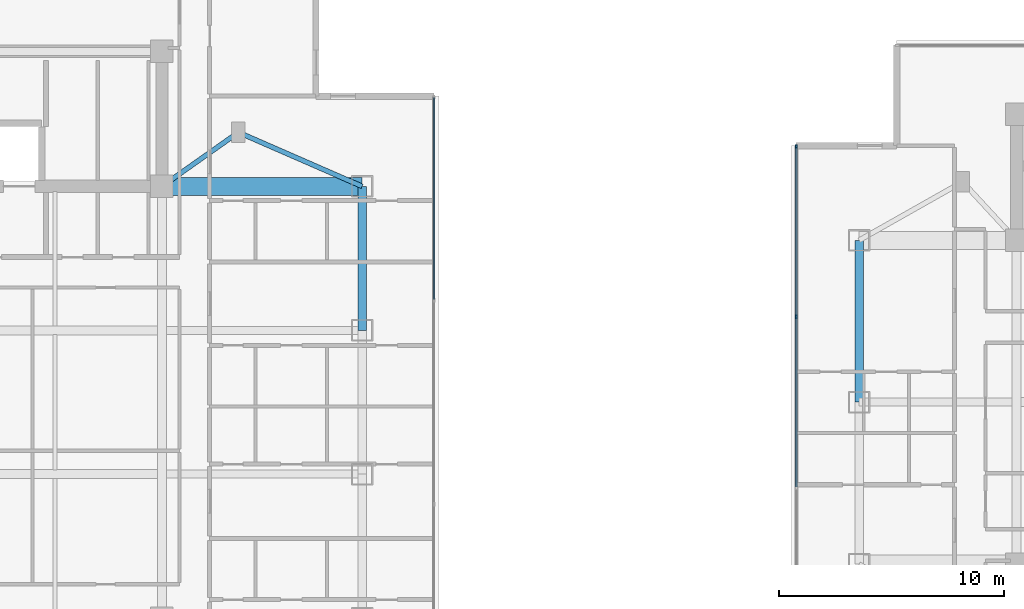
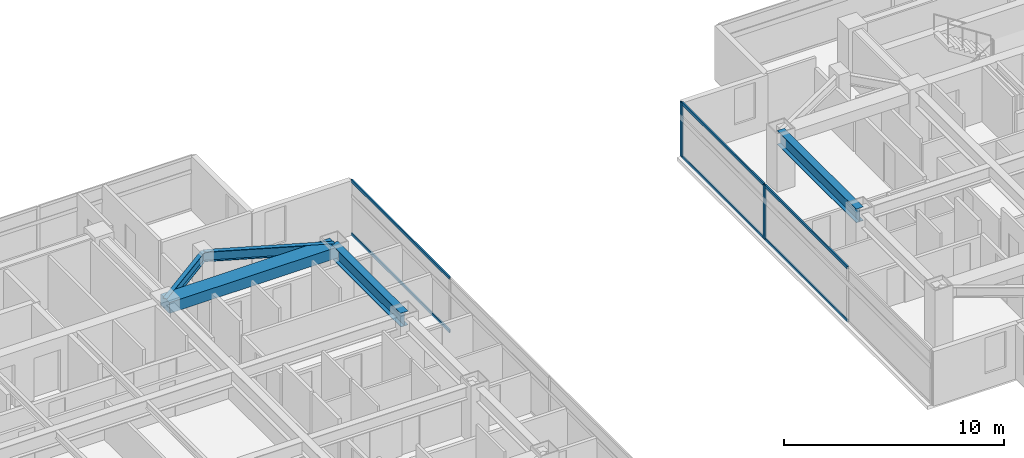
# One storey, part 5 of 25: 8 members, 5 beams, 2 elements without a shape of their own.
"""IFC4 building model written with IfcOpenShell, lengths in metres."""

from ifc_helpers import new_model, si_unit, direction, frame, origin, origin_2d, place, context, subcontext, project, spatial, rectangle, i_section, extrude, material, material_profile, profile_set, type_object, element, aggregate, save


model = new_model("IFC4")

# Units and contexts
model_context = context("Model", 3, precision=1e-05, world=origin(), true_north=direction((0.0, 1.0)))
body_context = subcontext(model_context, "Body", "Model", "MODEL_VIEW")
ifc_project = project(units=[si_unit("LENGTHUNIT", "METRE"), si_unit("AREAUNIT", "SQUARE_METRE"), si_unit("VOLUMEUNIT", "CUBIC_METRE"), si_unit("PLANEANGLEUNIT", "RADIAN"), si_unit("MASSUNIT", "GRAM", prefix="KILO")], contexts=[model_context])

# Site, building, storey
site_placement = place(None, origin())
site = spatial("IfcSite", under=ifc_project, at=site_placement, CompositionType="ELEMENT")
building_placement = place(site_placement, origin())
building = spatial("IfcBuilding", under=site, at=building_placement, Name="Mirazonda Arch Towers", CompositionType="ELEMENT")
storey_placement = place(building_placement, frame((0.0, 0.0, 177.14990234375)))
storey = spatial("IfcBuildingStorey", under=building, at=storey_placement, Name="L50", CompositionType="ELEMENT", Elevation=177.14990234375)

# Beams
ifc_material_1 = material(Name="Steel ASTM A992 Grade 50", Category="steel")
ifc_material_profile_1 = material_profile(ifc_material_1, i_section(OverallWidth=0.381103515625, OverallDepth=0.77294921875, WebThickness=0.0166015625, FlangeThickness=0.027099609375, at=origin_2d()), Name="W30X173")
ifc_profile_set_1 = profile_set([ifc_material_profile_1], Name="Steel ASTM A992 Grade 50")
beam_type_1 = type_object("IfcBeamType", Name="BM-EXT-W30X173", PredefinedType="USERDEFINED", material=ifc_profile_set_1)
beam_1_placement = place(storey_placement, frame((38.89990234375, 31.199951171875, 2.66357421875), z_axis=(0.0, 1.0, 0.0), x_axis=(-1.0, 0.0, 0.0)))
element("IfcBeam", 1, at=beam_1_placement, inside=storey, type_object=beam_type_1, Name="L50 Floor Beam BM-T1-L50-NS-E-31", ObjectType="GIRDER", PredefinedType="USERDEFINED", context=body_context, shape_type="SweptSolid", body=[
    extrude(i_section(OverallWidth=0.381103515625, OverallDepth=0.77294921875, WebThickness=0.0166015625, FlangeThickness=0.027099609375, at=origin_2d()), origin(), (0.0, 0.0, 1.0), 6.400146484375),
])
beam_2_placement = place(storey_placement, frame((61.0, 28.0, 2.66357421875), z_axis=(0.0, 1.0, 0.0), x_axis=(-1.0, 0.0, 0.0)))
element("IfcBeam", 2, at=beam_2_placement, inside=storey, type_object=beam_type_1, Name="L50 Floor Beam BM-T2-L50-NS-W-28", ObjectType="GIRDER", PredefinedType="USERDEFINED", context=body_context, shape_type="SweptSolid", body=[
    extrude(i_section(OverallWidth=0.381103515625, OverallDepth=0.77294921875, WebThickness=0.0166015625, FlangeThickness=0.027099609375, at=origin_2d()), origin(), (0.0, 0.0, 1.0), 7.199951171875),
])
ifc_material_profile_2 = material_profile(ifc_material_1, i_section(OverallWidth=0.214111328125, OverallDepth=0.549072265625, WebThickness=0.0146484375, FlangeThickness=0.023681640625, at=origin_2d()), Name="W21X93")
ifc_profile_set_2 = profile_set([ifc_material_profile_2], Name="Steel ASTM A992 Grade 50")
beam_type_2 = type_object("IfcBeamType", Name="BM-INT-W21X93", PredefinedType="BEAM", material=ifc_profile_set_2)
beam_3_placement = place(storey_placement, frame((33.39990234375, 40.0, 2.775634765625), z_axis=(-0.816971114901, -0.576678591087, 0.0), x_axis=(0.576678591087, -0.816971114901, 0.0)))
element("IfcBeam", 3, at=beam_3_placement, inside=storey, type_object=beam_type_2, Name="L50 Floor Beam BM-T1-L50-PL-NE1", PredefinedType="BEAM", context=body_context, shape_type="SweptSolid", body=[
    extrude(i_section(OverallWidth=0.214111328125, OverallDepth=0.549072265625, WebThickness=0.0146484375, FlangeThickness=0.023681640625, at=origin_2d()), origin(), (0.0, 0.0, 1.0), 4.16162109375),
])
beam_4_placement = place(storey_placement, frame((33.39990234375, 40.0, 2.775634765625), z_axis=(0.916545343703, -0.399930785183, 0.0), x_axis=(0.399930785183, 0.916545343703, 0.0)))
element("IfcBeam", 4, at=beam_4_placement, inside=storey, type_object=beam_type_2, Name="L50 Floor Beam BM-T1-L50-PL-NE2", PredefinedType="BEAM", context=body_context, shape_type="SweptSolid", body=[
    extrude(i_section(OverallWidth=0.214111328125, OverallDepth=0.549072265625, WebThickness=0.0146484375, FlangeThickness=0.023681640625, at=origin_2d()), origin(), (0.0, 0.0, 1.0), 6.000732421875),
])
ifc_material_2 = material(Name="Concrete C60/75", Category="concrete")
ifc_material_profile_3 = material_profile(ifc_material_2, rectangle(XDim=0.800048828125, YDim=0.60009765625, at=origin_2d()), Name="RCCB800x600")
ifc_profile_set_3 = profile_set([ifc_material_profile_3], Name="Concrete C60/75")
beam_type_3 = type_object("IfcBeamType", Name="CB-INT-RCCB800x600", PredefinedType="SPANDREL", material=ifc_profile_set_3)
beam_5_placement = place(storey_placement, frame((30.0, 37.60009765625, 2.75), z_axis=(1.0, 0.0, 0.0), x_axis=(0.0, 1.0, 0.0)))
element("IfcBeam", 5, at=beam_5_placement, inside=storey, type_object=beam_type_3, Name="L50 Floor Beam CBC-T1-L50-NE", PredefinedType="SPANDREL", context=body_context, shape_type="SweptSolid", body=[
    extrude(rectangle(XDim=0.800048828125, YDim=0.60009765625, at=origin_2d()), origin(), (0.0, 0.0, 1.0), 8.89990234375),
])

# Curtain wall, members
ifc_material_3 = material(Name="Anodised Aluminium and Low-E Glass", Category="aluminium")
curtain_wall_type = type_object("IfcCurtainWallType", Name="CW-RES-UNIT", PredefinedType="NOTDEFINED", material=ifc_material_3)
curtain_wall_1_placement = place(storey_placement, origin())
curtain_wall_1 = element("IfcCurtainWall", 6, at=curtain_wall_1_placement, inside=storey, type_object=curtain_wall_type, Name="L50 T2 W Facade CW-L50-T2-W", PredefinedType="NOTDEFINED")
ifc_material_4 = material(Name="Anodised Aluminium Alloy", Category="aluminium")
ifc_material_profile_4 = material_profile(ifc_material_4, rectangle(XDim=0.074951171875, YDim=0.175048828125, at=origin_2d()), Name="ALU-MULL-75x175")
ifc_profile_set_4 = profile_set([ifc_material_profile_4], Name="Anodised Aluminium Alloy")
member_type_1 = type_object("IfcMemberType", Name="MULL-CW-RES-UNIT", PredefinedType="MULLION", material=ifc_profile_set_4)
member_1_placement = place(storey_placement, frame((58.201416015625, 39.371826171875, 0.0), z_axis=(0.0, 0.0, 1.0), x_axis=(1.0, 0.0, 0.0)))
member_1 = element("IfcMember", 7, at=member_1_placement, type_object=member_type_1, Name="CW-104 mullion 1", PredefinedType="MULLION", context=body_context, shape_type="SweptSolid", body=[
    extrude(rectangle(XDim=0.074951171875, YDim=0.175048828125, at=origin_2d()), origin(), (0.0, 0.0, 1.0), 3.030029296875),
])
member_2_placement = place(storey_placement, frame((58.201416015625, 31.80322265625, 0.0), z_axis=(0.0, 0.0, 1.0), x_axis=(1.0, 0.0, 0.0)))
member_2 = element("IfcMember", 8, at=member_2_placement, type_object=member_type_1, Name="CW-104 mullion 2", PredefinedType="MULLION", context=body_context, shape_type="SweptSolid", body=[
    extrude(rectangle(XDim=0.074951171875, YDim=0.175048828125, at=origin_2d()), origin(), (0.0, 0.0, 1.0), 3.030029296875),
])

curtain_wall_2_placement = place(storey_placement, origin())
curtain_wall_2 = element("IfcCurtainWall", 9, at=curtain_wall_2_placement, inside=storey, type_object=curtain_wall_type, Name="L50 T1 E Facade CW-L50-T1-E", PredefinedType="NOTDEFINED")
ifc_material_profile_5 = material_profile(ifc_material_4, rectangle(XDim=0.074951171875, YDim=0.155029296875, at=origin_2d()), Name="ALU-TRAN-75x155")
ifc_profile_set_5 = profile_set([ifc_material_profile_5], Name="Anodised Aluminium Alloy")
member_type_2 = type_object("IfcMemberType", Name="TRAN-CW-RES-UNIT", PredefinedType="USERDEFINED", material=ifc_profile_set_5)
member_3_placement = place(storey_placement, frame((42.090087890625, 32.574462890625, 0.03759765625), z_axis=(0.0, 1.0, 0.0), x_axis=(-1.0, 0.0, 0.0)))
member_3 = element("IfcMember", 10, at=member_3_placement, type_object=member_type_2, Name="CW-104 transom 3.1", ObjectType="TRANSOM", PredefinedType="USERDEFINED", context=body_context, shape_type="SweptSolid", body=[
    extrude(rectangle(XDim=0.074951171875, YDim=0.155029296875, at=origin_2d()), origin(), (0.0, 0.0, 1.0), 8.96142578125),
])
member_4_placement = place(storey_placement, frame((42.090087890625, 32.574462890625, 2.99267578125), z_axis=(0.0, 1.0, 0.0), x_axis=(-1.0, 0.0, 0.0)))
member_4 = element("IfcMember", 11, at=member_4_placement, type_object=member_type_2, Name="CW-104 transom 3.2", ObjectType="TRANSOM", PredefinedType="USERDEFINED", context=body_context, shape_type="SweptSolid", body=[
    extrude(rectangle(XDim=0.074951171875, YDim=0.155029296875, at=origin_2d()), origin(), (0.0, 0.0, 1.0), 8.96142578125),
])
aggregate(curtain_wall_2, [member_3, member_4])

# Member
member_5_placement = place(storey_placement, frame((58.201416015625, 39.33447265625, 0.03759765625), z_axis=(0.0, -1.0, 0.0), x_axis=(1.0, 0.0, 0.0)))
member_5 = element("IfcMember", 12, at=member_5_placement, type_object=member_type_2, Name="CW-104 transom 1.1", ObjectType="TRANSOM", PredefinedType="USERDEFINED", context=body_context, shape_type="SweptSolid", body=[
    extrude(rectangle(XDim=0.074951171875, YDim=0.155029296875, at=origin_2d()), origin(), (0.0, 0.0, 1.0), 7.493896484375),
])

member_6_placement = place(storey_placement, frame((58.201416015625, 39.33447265625, 2.99267578125), z_axis=(0.0, -1.0, 0.0), x_axis=(1.0, 0.0, 0.0)))
member_6 = element("IfcMember", 13, at=member_6_placement, type_object=member_type_2, Name="CW-104 transom 1.2", ObjectType="TRANSOM", PredefinedType="USERDEFINED", context=body_context, shape_type="SweptSolid", body=[
    extrude(rectangle(XDim=0.074951171875, YDim=0.155029296875, at=origin_2d()), origin(), (0.0, 0.0, 1.0), 7.493896484375),
])

member_7_placement = place(storey_placement, frame((58.201416015625, 31.765625, 0.03759765625), z_axis=(0.0, -1.0, 0.0), x_axis=(1.0, 0.0, 0.0)))
member_7 = element("IfcMember", 14, at=member_7_placement, type_object=member_type_2, Name="CW-104 transom 2.1", ObjectType="TRANSOM", PredefinedType="USERDEFINED", context=body_context, shape_type="SweptSolid", body=[
    extrude(rectangle(XDim=0.074951171875, YDim=0.155029296875, at=origin_2d()), origin(), (0.0, 0.0, 1.0), 7.53125),
])

member_8_placement = place(storey_placement, frame((58.201416015625, 31.765625, 2.99267578125), z_axis=(0.0, -1.0, 0.0), x_axis=(1.0, 0.0, 0.0)))
member_8 = element("IfcMember", 15, at=member_8_placement, type_object=member_type_2, Name="CW-104 transom 2.2", ObjectType="TRANSOM", PredefinedType="USERDEFINED", context=body_context, shape_type="SweptSolid", body=[
    extrude(rectangle(XDim=0.074951171875, YDim=0.155029296875, at=origin_2d()), origin(), (0.0, 0.0, 1.0), 7.53125),
])

aggregate(curtain_wall_1, [member_1, member_2, member_5, member_6, member_7, member_8])

save(model, "model.ifc")
